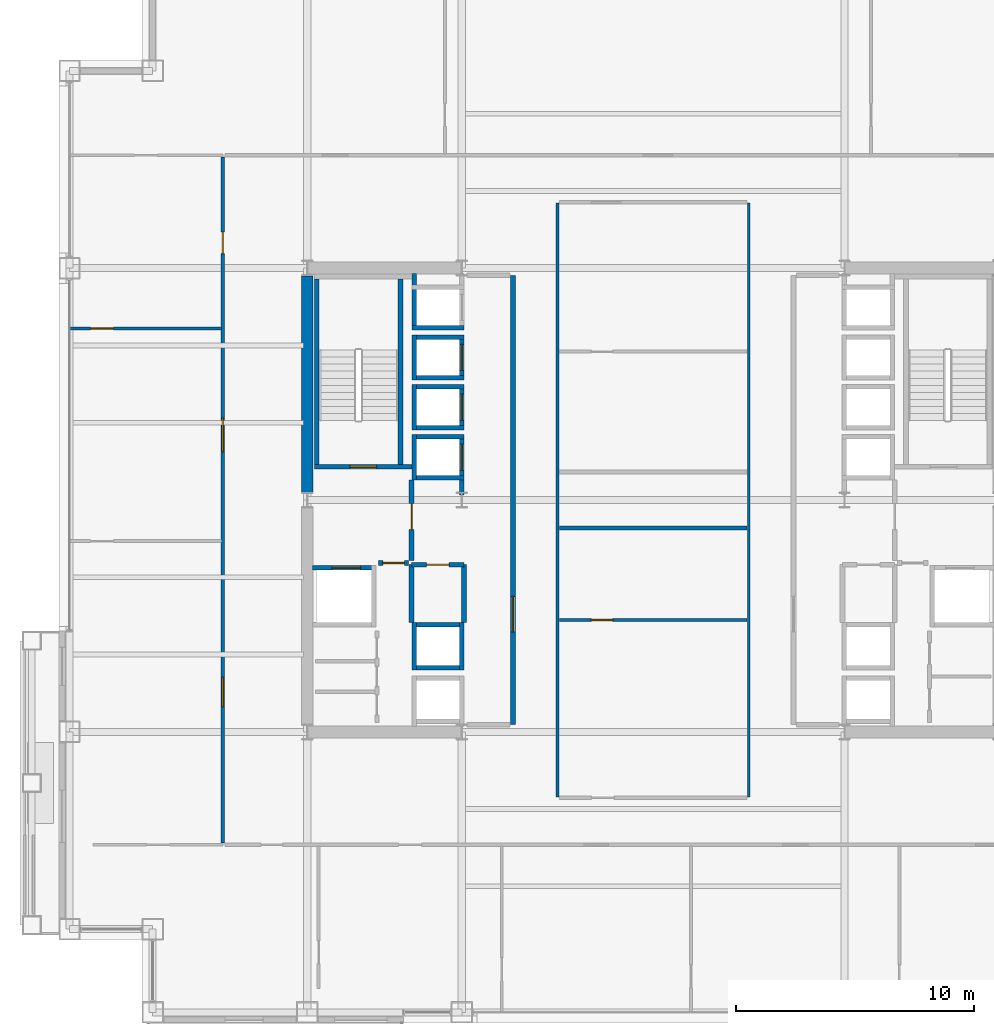
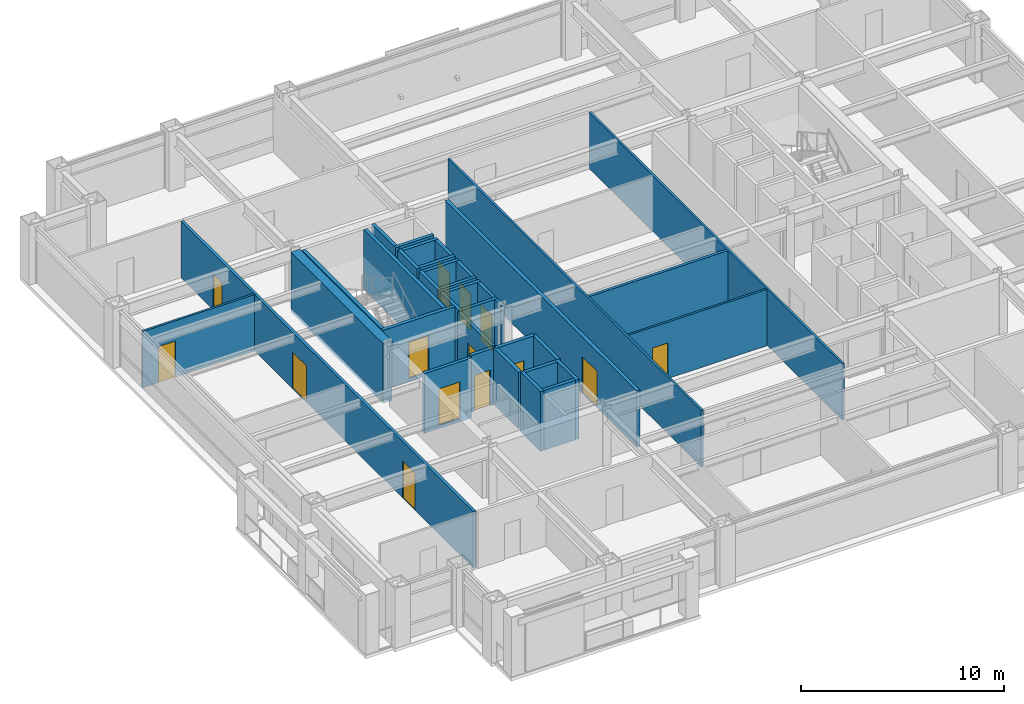
# One storey, part 25 of 30: 35 walls, 14 doors, 14 openings.
"""IFC4 building model written with IfcOpenShell, lengths in metres."""

from ifc_helpers import new_model, si_unit, direction, frame, frame_2d, origin, place, context, subcontext, project, spatial, rectangle, extrude, material, layer, layer_set, type_object, element, fill, save


model = new_model("IFC4")

# Units and contexts
model_context = context("Model", 3, precision=1e-05, world=origin(), true_north=direction((0.0, 1.0)))
body_context = subcontext(model_context, "Body", "Model", "MODEL_VIEW")
ifc_project = project(units=[si_unit("LENGTHUNIT", "METRE"), si_unit("AREAUNIT", "SQUARE_METRE"), si_unit("VOLUMEUNIT", "CUBIC_METRE"), si_unit("PLANEANGLEUNIT", "RADIAN"), si_unit("MASSUNIT", "GRAM", prefix="KILO")], contexts=[model_context])

# Site, building, storey
site_placement = place(None, origin())
site = spatial("IfcSite", under=ifc_project, at=site_placement, CompositionType="ELEMENT")
building_placement = place(site_placement, origin())
building = spatial("IfcBuilding", under=site, at=building_placement, Name="Brelmoor Portico Tower", CompositionType="ELEMENT")
storey_placement = place(building_placement, frame((0.0, 0.0, 74.39990234375)))
storey = spatial("IfcBuildingStorey", under=building, at=storey_placement, Name="L19", CompositionType="ELEMENT", Elevation=74.39990234375)

# Walls
ifc_material_1 = material(Name="Concrete C60", Category="concrete")
ifc_layer_1 = layer(ifc_material_1, 0.5)
ifc_layer_set_1 = layer_set([ifc_layer_1], Name="Concrete C60")
wall_type_1 = type_object("IfcWallType", Name="WL-CORE-500", PredefinedType="SHEAR", material=ifc_layer_set_1)
wall_1_placement = place(storey_placement, frame((-14.550048828125, 0.324951171875, -0.199951171875), z_axis=(0.0, 0.0, 1.0), x_axis=(0.0, 1.0, 0.0)))
element("IfcWall", 1, at=wall_1_placement, inside=storey, type_object=wall_type_1, Name="L19 WC Outer North Shear Wall", PredefinedType="SHEAR", context=body_context, shape_type="SweptSolid", body=[
    extrude(rectangle(XDim=9.10009765625, YDim=0.5, at=frame_2d((4.550048828125, 0.0))), origin(), (0.0, 0.0, 1.0), 3.60009765625),
])
ifc_material_2 = material(Name="Lightweight Gypsum Office Partition", Category="gypsum")
ifc_layer_2 = layer(ifc_material_2, 0.1201171875)
ifc_layer_set_2 = layer_set([ifc_layer_2], Name="Lightweight Gypsum Office Partition")
wall_type_2 = type_object("IfcWallType", Name="WL-PART-120", PredefinedType="PARTITIONING", material=ifc_layer_set_2)
for number, where, z_axis, x_axis, name in (
    (2, (-4.02001953125, -12.5, 0.0), (0.0, 0.0, 1.0), (0.0, 1.0, 0.0), "L19 Central Suite West Wall"),
    (3, (4.02001953125, -12.5, 0.0), (0.0, 0.0, 1.0), (0.0, 1.0, 0.0), "L19 Central Suite East Wall"),
):
    element("IfcWall", number, at=place(storey_placement, frame(where, z_axis=z_axis, x_axis=x_axis)), inside=storey, type_object=wall_type_2, Name=name, PredefinedType="PARTITIONING", context=body_context, shape_type="SweptSolid", body=[
        extrude(rectangle(XDim=25.0, YDim=0.1201171875, at=frame_2d((12.5, 0.0))), origin(), (0.0, 0.0, 1.0), 3.400146484375),
    ])

# Wall, opening, door
wall_2_placement = place(storey_placement, frame((-3.949951171875, -5.050048828125, 0.0), z_axis=(0.0, 0.0, 1.0), x_axis=(1.0, 0.0, 0.0)))
wall_2 = element("IfcWall", 4, at=wall_2_placement, inside=storey, type_object=wall_type_2, Name="L19 Central Print Divider", PredefinedType="PARTITIONING", context=body_context, shape_type="SweptSolid", body=[
    extrude(rectangle(XDim=7.89990234375, YDim=0.1201171875, at=frame_2d((3.949951171875, 0.0))), origin(), (0.0, 0.0, 1.0), 3.400146484375),
])
opening_1_placement = place(wall_2_placement, frame((1.35009765625, 0.0, 0.0)))
opening_1 = element("IfcOpeningElement", 5, at=opening_1_placement, cuts=wall_2, Name="Opening D-IN1", PredefinedType="OPENING", context=body_context, shape_type="SweptSolid", body=[
    extrude(rectangle(XDim=0.89990234375, YDim=2.14990234375, at=frame_2d((0.449951171875, 1.074951171875))), frame((0.0, 0.070068359375, 0.0), z_axis=(0.0, -1.0, 0.0), x_axis=(1.0, 0.0, 0.0)), (0.0, 0.0, 1.0), 0.14013671875),
])
ifc_material_3 = material(Name="Lacquered Timber Suite Door", Category="wood")
door_type_1 = type_object("IfcDoorType", Name="DR-INT-900", OperationType="NOTDEFINED", PredefinedType="DOOR", material=ifc_material_3)
door_1_placement = place(opening_1_placement, origin())
door_1 = element("IfcDoor", 6, at=door_1_placement, inside=storey, type_object=door_type_1, Name="D-0853 L19 Central Print Studio Door", OperationType="SINGLE_SWING_RIGHT", OverallHeight=2.14990234375, OverallWidth=0.89990234375, PredefinedType="DOOR", context=body_context, shape_type="SweptSolid", body=[
    extrude(rectangle(XDim=0.89990234375, YDim=2.14990234375, at=frame_2d((0.449951171875, 1.074951171875))), frame((0.0, 0.02490234375, 0.0), z_axis=(0.0, -1.0, 0.0), x_axis=(1.0, 0.0, 0.0)), (0.0, 0.0, 1.0), 0.050048828125),
])
fill(opening_1, door_1)

wall_3_placement = place(storey_placement, frame((-24.56005859375, 7.2099609375, 0.0), z_axis=(0.0, 0.0, 1.0), x_axis=(1.0, 0.0, 0.0)))
wall_3 = element("IfcWall", 7, at=wall_3_placement, inside=storey, type_object=wall_type_2, Name="L19 W Wing Partition 2", PredefinedType="PARTITIONING", context=body_context, shape_type="SweptSolid", body=[
    extrude(rectangle(XDim=6.400146484375, YDim=0.1201171875, at=frame_2d((3.2001953125, 0.0))), origin(), (0.0, 0.0, 1.0), 3.400146484375),
])
opening_2_placement = place(wall_3_placement, frame((0.89990234375, 0.0, 0.0)))
opening_2 = element("IfcOpeningElement", 8, at=opening_2_placement, cuts=wall_3, Name="Opening D-IN2", PredefinedType="OPENING", context=body_context, shape_type="SweptSolid", body=[
    extrude(rectangle(XDim=0.9599609375, YDim=2.179931640625, at=frame_2d((0.47998046875, 1.08984375))), frame((0.0, 0.070068359375, 0.0), z_axis=(0.0, -1.0, 0.0), x_axis=(1.0, 0.0, 0.0)), (0.0, 0.0, 1.0), 0.14013671875),
])
door_type_2 = type_object("IfcDoorType", Name="DR-INT-950", OperationType="NOTDEFINED", PredefinedType="DOOR", material=ifc_material_3)
door_2_placement = place(opening_2_placement, origin())
door_2 = element("IfcDoor", 9, at=door_2_placement, inside=storey, type_object=door_type_2, Name="D-0894 L19 W Wing Suite Connecting Door 2", OperationType="SINGLE_SWING_LEFT", OverallHeight=2.179931640625, OverallWidth=0.9599609375, PredefinedType="DOOR", context=body_context, shape_type="SweptSolid", body=[
    extrude(rectangle(XDim=0.9599609375, YDim=2.179931640625, at=frame_2d((0.47998046875, 1.08984375))), frame((0.0, 0.02490234375, 0.0), z_axis=(0.0, -1.0, 0.0), x_axis=(1.0, 0.0, 0.0)), (0.0, 0.0, 1.0), 0.050048828125),
])
fill(opening_2, door_2)

# Wall
ifc_material_4 = material(Name="Twin-Frame Acoustic Partition", Category="gypsum")
ifc_layer_3 = layer(ifc_material_4, 0.159912109375)
ifc_layer_set_3 = layer_set([ifc_layer_3], Name="Twin-Frame Acoustic Partition")
wall_type_3 = type_object("IfcWallType", Name="WL-PART-160", PredefinedType="PARTITIONING", material=ifc_layer_set_3)
wall_4_placement = place(storey_placement, frame((-3.949951171875, -1.179931640625, 0.0), z_axis=(0.0, 0.0, 1.0), x_axis=(1.0, 0.0, 0.0)))
element("IfcWall", 10, at=wall_4_placement, inside=storey, type_object=wall_type_3, Name="L19 Central Pantry North Wall", PredefinedType="PARTITIONING", context=body_context, shape_type="SweptSolid", body=[
    extrude(rectangle(XDim=7.89990234375, YDim=0.159912109375, at=frame_2d((3.949951171875, 0.0))), origin(), (0.0, 0.0, 1.0), 3.400146484375),
])

# Wall, openings, doors
wall_5_placement = place(storey_placement, frame((-18.10009765625, -14.419921875, 0.0), z_axis=(0.0, 0.0, 1.0), x_axis=(0.0, 1.0, 0.0)))
wall_5 = element("IfcWall", 11, at=wall_5_placement, inside=storey, type_object=wall_type_3, Name="L19 W Wing Corridor Wall", PredefinedType="PARTITIONING", context=body_context, shape_type="SweptSolid", body=[
    extrude(rectangle(XDim=28.83984375, YDim=0.159912109375, at=frame_2d((14.419921875, 0.0))), origin(), (0.0, 0.0, 1.0), 3.400146484375),
])
opening_3_placement = place(wall_5_placement, frame((5.724853515625, 0.0, 0.0)))
opening_3 = element("IfcOpeningElement", 12, at=opening_3_placement, cuts=wall_5, Name="Opening D-SU1", PredefinedType="OPENING", context=body_context, shape_type="SweptSolid", body=[
    extrude(rectangle(XDim=1.239990234375, YDim=2.239990234375, at=frame_2d((0.6201171875, 1.1201171875))), frame((0.0, 0.08984375, 0.0), z_axis=(0.0, -1.0, 0.0), x_axis=(1.0, 0.0, 0.0)), (0.0, 0.0, 1.0), 0.179931640625),
])
opening_4_placement = place(wall_5_placement, frame((16.459716796875, 0.0, 0.0)))
opening_4 = element("IfcOpeningElement", 13, at=opening_4_placement, cuts=wall_5, Name="Opening D-SU2", PredefinedType="OPENING", context=body_context, shape_type="SweptSolid", body=[
    extrude(rectangle(XDim=1.39990234375, YDim=2.199951171875, at=frame_2d((0.699951171875, 1.10009765625))), frame((0.0, 0.08984375, 0.0), z_axis=(0.0, -1.0, 0.0), x_axis=(1.0, 0.0, 0.0)), (0.0, 0.0, 1.0), 0.179931640625),
])
opening_5_placement = place(wall_5_placement, frame((24.784912109375, 0.0, 0.0)))
opening_5 = element("IfcOpeningElement", 14, at=opening_5_placement, cuts=wall_5, Name="Opening D-IN1", PredefinedType="OPENING", context=body_context, shape_type="SweptSolid", body=[
    extrude(rectangle(XDim=0.89990234375, YDim=2.14990234375, at=frame_2d((0.449951171875, 1.074951171875))), frame((0.0, 0.08984375, 0.0), z_axis=(0.0, -1.0, 0.0), x_axis=(1.0, 0.0, 0.0)), (0.0, 0.0, 1.0), 0.179931640625),
])
door_3_placement = place(opening_5_placement, origin())
door_3 = element("IfcDoor", 15, at=door_3_placement, inside=storey, type_object=door_type_1, Name="D-0892 L19 W Client Reception Room 3 Door", OperationType="SINGLE_SWING_LEFT", OverallHeight=2.14990234375, OverallWidth=0.89990234375, PredefinedType="DOOR", context=body_context, shape_type="SweptSolid", body=[
    extrude(rectangle(XDim=0.89990234375, YDim=2.14990234375, at=frame_2d((0.449951171875, 1.074951171875))), frame((0.0, 0.02490234375, 0.0), z_axis=(0.0, -1.0, 0.0), x_axis=(1.0, 0.0, 0.0)), (0.0, 0.0, 1.0), 0.050048828125),
])
fill(opening_5, door_3)
ifc_material_5 = material(Name="Glazed Timber Executive Suite Door", Category="wood")
door_type_3 = type_object("IfcDoorType", Name="DR-SUITE-1200", OperationType="NOTDEFINED", PredefinedType="DOOR", material=ifc_material_5)
door_4_placement = place(opening_3_placement, origin())
door_4 = element("IfcDoor", 16, at=door_4_placement, inside=storey, type_object=door_type_3, Name="D-0890 L19 W Staff Wellness Studio 1 Door", OperationType="SINGLE_SWING_RIGHT", OverallHeight=2.239990234375, OverallWidth=1.239990234375, PredefinedType="DOOR", context=body_context, shape_type="SweptSolid", body=[
    extrude(rectangle(XDim=1.239990234375, YDim=2.239990234375, at=frame_2d((0.6201171875, 1.1201171875))), frame((0.0, 0.02490234375, 0.0), z_axis=(0.0, -1.0, 0.0), x_axis=(1.0, 0.0, 0.0)), (0.0, 0.0, 1.0), 0.050048828125),
])
fill(opening_3, door_4)
ifc_material_6 = material(Name="Double-Leaf Acoustic Suite Door", Category="timber")
door_type_4 = type_object("IfcDoorType", Name="DR-SUITE-1400", OperationType="NOTDEFINED", PredefinedType="DOOR", material=ifc_material_6)
door_5_placement = place(opening_4_placement, origin())
door_5 = element("IfcDoor", 17, at=door_5_placement, inside=storey, type_object=door_type_4, Name="D-0891 L19 W Technical Archive Store 2 Door", OperationType="DOUBLE_DOOR_SINGLE_SWING", OverallHeight=2.199951171875, OverallWidth=1.39990234375, PredefinedType="DOOR", context=body_context, shape_type="SweptSolid", body=[
    extrude(rectangle(XDim=1.39990234375, YDim=2.199951171875, at=frame_2d((0.699951171875, 1.10009765625))), frame((0.0, 0.02490234375, 0.0), z_axis=(0.0, -1.0, 0.0), x_axis=(1.0, 0.0, 0.0)), (0.0, 0.0, 1.0), 0.050048828125),
])
fill(opening_4, door_5)

# Wall, opening, door
ifc_material_7 = material(Name="Double-Stud Gypsum Fire Partition", Category="gypsum")
ifc_layer_4 = layer(ifc_material_7, 0.199951171875)
ifc_layer_set_4 = layer_set([ifc_layer_4], Name="Double-Stud Gypsum Fire Partition")
wall_type_4 = type_object("IfcWallType", Name="WL-PART-200", PredefinedType="PARTITIONING", material=ifc_layer_set_4)
wall_6_placement = place(storey_placement, frame((-5.89990234375, -9.449951171875, 0.0), z_axis=(0.0, 0.0, 1.0), x_axis=(0.0, 1.0, 0.0)))
wall_6 = element("IfcWall", 18, at=wall_6_placement, inside=storey, type_object=wall_type_4, Name="L19 W Core Lobby Compartment Wall", PredefinedType="PARTITIONING", context=body_context, shape_type="SweptSolid", body=[
    extrude(rectangle(XDim=18.89990234375, YDim=0.199951171875, at=frame_2d((9.449951171875, 0.0))), origin(), (0.0, 0.0, 1.0), 3.400146484375),
])
opening_6_placement = place(wall_6_placement, frame((3.89990234375, 0.0, 0.0)))
opening_6 = element("IfcOpeningElement", 19, at=opening_6_placement, cuts=wall_6, Name="Opening D-LB1", PredefinedType="OPENING", context=body_context, shape_type="SweptSolid", body=[
    extrude(rectangle(XDim=1.5, YDim=2.199951171875, at=frame_2d((0.75, 1.10009765625))), frame((0.0, 0.10986328125, 0.0), z_axis=(0.0, -1.0, 0.0), x_axis=(1.0, 0.0, 0.0)), (0.0, 0.0, 1.0), 0.219970703125),
])
ifc_material_8 = material(Name="Double-Leaf Glazed Steel Fire Door", Category="steel")
door_type_5 = type_object("IfcDoorType", Name="DR-LOBBY-1500", OperationType="NOTDEFINED", PredefinedType="DOOR", material=ifc_material_8)
door_6_placement = place(opening_6_placement, origin())
door_6 = element("IfcDoor", 20, at=door_6_placement, inside=storey, type_object=door_type_5, Name="D-0866 L19 W Lift Lobby Main Door", OperationType="DOUBLE_DOOR_SINGLE_SWING", OverallHeight=2.199951171875, OverallWidth=1.5, PredefinedType="DOOR", context=body_context, shape_type="SweptSolid", body=[
    extrude(rectangle(XDim=1.5, YDim=2.199951171875, at=frame_2d((0.75, 1.10009765625))), frame((0.0, 0.02490234375, 0.0), z_axis=(0.0, -1.0, 0.0), x_axis=(1.0, 0.0, 0.0)), (0.0, 0.0, 1.0), 0.050048828125),
])
fill(opening_6, door_6)

wall_7_placement = place(storey_placement, frame((-10.159912109375, -2.550048828125, 0.0), z_axis=(0.0, 0.0, 1.0), x_axis=(0.0, 1.0, 0.0)))
wall_7 = element("IfcWall", 21, at=wall_7_placement, inside=storey, type_object=wall_type_4, Name="L19 W Firefighting Lobby Wall", PredefinedType="PARTITIONING", context=body_context, shape_type="SweptSolid", body=[
    extrude(rectangle(XDim=3.400146484375, YDim=0.199951171875, at=frame_2d((1.7001953125, 0.0))), origin(), (0.0, 0.0, 1.0), 3.400146484375),
])
opening_7_placement = place(wall_7_placement, frame((1.300048828125, 0.0, 0.0)))
opening_7 = element("IfcOpeningElement", 22, at=opening_7_placement, cuts=wall_7, Name="Opening D-FR1", PredefinedType="OPENING", context=body_context, shape_type="SweptSolid", body=[
    extrude(rectangle(XDim=1.10009765625, YDim=2.14990234375, at=frame_2d((0.550048828125, 1.074951171875))), frame((0.0, 0.10986328125, 0.0), z_axis=(0.0, -1.0, 0.0), x_axis=(1.0, 0.0, 0.0)), (0.0, 0.0, 1.0), 0.219970703125),
])
ifc_material_9 = material(Name="Painted Galvanised Steel Fire Door", Category="steel")
door_type_6 = type_object("IfcDoorType", Name="DR-FIRE-1100", OperationType="NOTDEFINED", PredefinedType="DOOR", material=ifc_material_9)
door_7_placement = place(opening_7_placement, origin())
door_7 = element("IfcDoor", 23, at=door_7_placement, inside=storey, type_object=door_type_6, Name="D-0864 L19 W Firefighting Lobby Door", OperationType="SINGLE_SWING_RIGHT", OverallHeight=2.14990234375, OverallWidth=1.10009765625, PredefinedType="DOOR", context=body_context, shape_type="SweptSolid", body=[
    extrude(rectangle(XDim=1.10009765625, YDim=2.14990234375, at=frame_2d((0.550048828125, 1.074951171875))), frame((0.0, 0.02490234375, 0.0), z_axis=(0.0, -1.0, 0.0), x_axis=(1.0, 0.0, 0.0)), (0.0, 0.0, 1.0), 0.050048828125),
])
fill(opening_7, door_7)

wall_8_placement = place(storey_placement, frame((-10.280029296875, -2.64990234375, 0.0), z_axis=(0.0, 0.0, 1.0), x_axis=(-1.0, 0.0, 0.0)))
wall_8 = element("IfcWall", 24, at=wall_8_placement, inside=storey, type_object=wall_type_4, Name="L19 W Firefighting Lobby South Wall", PredefinedType="PARTITIONING", context=body_context, shape_type="SweptSolid", body=[
    extrude(rectangle(XDim=1.27001953125, YDim=0.199951171875, at=frame_2d((0.635009765625, 0.0))), origin(), (0.0, 0.0, 1.0), 3.400146484375),
])
opening_8_placement = place(wall_8_placement, frame((0.18505859375, 0.0, 0.0)))
opening_8 = element("IfcOpeningElement", 25, at=opening_8_placement, cuts=wall_8, Name="Opening D-IN1", PredefinedType="OPENING", context=body_context, shape_type="SweptSolid", body=[
    extrude(rectangle(XDim=0.89990234375, YDim=2.14990234375, at=frame_2d((0.449951171875, 1.074951171875))), frame((0.0, 0.10986328125, 0.0), z_axis=(0.0, -1.0, 0.0), x_axis=(1.0, 0.0, 0.0)), (0.0, 0.0, 1.0), 0.219970703125),
])
door_8_placement = place(opening_8_placement, origin())
door_8 = element("IfcDoor", 26, at=door_8_placement, inside=storey, type_object=door_type_1, Name="D-0857 L19 W Core Service Vestibule Door", OperationType="SINGLE_SWING_LEFT", OverallHeight=2.14990234375, OverallWidth=0.89990234375, PredefinedType="DOOR", context=body_context, shape_type="SweptSolid", body=[
    extrude(rectangle(XDim=0.89990234375, YDim=2.14990234375, at=frame_2d((0.449951171875, 1.074951171875))), frame((0.0, 0.02490234375, 0.0), z_axis=(0.0, -1.0, 0.0), x_axis=(1.0, 0.0, 0.0)), (0.0, 0.0, 1.0), 0.050048828125),
])
fill(opening_8, door_8)

wall_9_placement = place(storey_placement, frame((-7.9599609375, -2.719970703125, 0.0), z_axis=(0.0, 0.0, 1.0), x_axis=(-1.0, 0.0, 0.0)))
wall_9 = element("IfcWall", 27, at=wall_9_placement, inside=storey, type_object=wall_type_4, Name="L19 W Electrical Switchgear Closet Wall", PredefinedType="PARTITIONING", context=body_context, shape_type="SweptSolid", body=[
    extrude(rectangle(XDim=2.199951171875, YDim=0.199951171875, at=frame_2d((1.10009765625, 0.0))), origin(), (0.0, 0.0, 1.0), 3.400146484375),
])
opening_9_placement = place(wall_9_placement, frame((0.6201171875, 0.0, 0.0)))
opening_9 = element("IfcOpeningElement", 28, at=opening_9_placement, cuts=wall_9, Name="Opening D-FR4", PredefinedType="OPENING", context=body_context, shape_type="SweptSolid", body=[
    extrude(rectangle(XDim=0.949951171875, YDim=2.10009765625, at=frame_2d((0.47509765625, 1.050048828125))), frame((0.0, 0.10986328125, 0.0), z_axis=(0.0, -1.0, 0.0), x_axis=(1.0, 0.0, 0.0)), (0.0, 0.0, 1.0), 0.219970703125),
])
ifc_material_10 = material(Name="Painted Galvanised Steel Riser Door", Category="steel")
door_type_7 = type_object("IfcDoorType", Name="DR-FIRE-950", OperationType="NOTDEFINED", PredefinedType="DOOR", material=ifc_material_10)
door_9_placement = place(opening_9_placement, origin())
door_9 = element("IfcDoor", 29, at=door_9_placement, inside=storey, type_object=door_type_7, Name="D-0862 L19 W Electrical Switchgear Closet Door", OperationType="SINGLE_SWING_RIGHT", OverallHeight=2.10009765625, OverallWidth=0.949951171875, PredefinedType="DOOR", context=body_context, shape_type="SweptSolid", body=[
    extrude(rectangle(XDim=0.949951171875, YDim=2.10009765625, at=frame_2d((0.47509765625, 1.050048828125))), frame((0.0, 0.02490234375, 0.0), z_axis=(0.0, -1.0, 0.0), x_axis=(1.0, 0.0, 0.0)), (0.0, 0.0, 1.0), 0.050048828125),
])
fill(opening_9, door_9)

# Walls
for number, where, z_axis, x_axis, name in (
    (30, (-7.9599609375, -5.159912109375, 0.0), (0.0, 0.0, 1.0), (0.0, 1.0, 0.0), "L19 W Electrical Switchgear Closet Inner Wall"),
    (31, (-10.159912109375, -5.159912109375, 0.0), (0.0, 0.0, 1.0), (0.0, 1.0, 0.0), "L19 W Electrical Switchgear Closet Outer Wall"),
):
    element("IfcWall", number, at=place(storey_placement, frame(where, z_axis=z_axis, x_axis=x_axis)), inside=storey, type_object=wall_type_4, Name=name, PredefinedType="PARTITIONING", context=body_context, shape_type="SweptSolid", body=[
        extrude(rectangle(XDim=2.43994140625, YDim=0.199951171875, at=frame_2d((1.219970703125, 0.0))), origin(), (0.0, 0.0, 1.0), 3.400146484375),
    ])

# Wall, opening, door
ifc_material_11 = material(Name="Precast Concrete C40", Category="concrete")
ifc_layer_5 = layer(ifc_material_11, 0.18994140625)
ifc_layer_set_5 = layer_set([ifc_layer_5], Name="Precast Concrete C40")
wall_type_5 = type_object("IfcWallType", Name="WL-SHAFT-180", PredefinedType="SOLIDWALL", material=ifc_layer_set_5)
wall_10_placement = place(storey_placement, frame((-8.044921875, 0.2099609375, -0.199951171875), z_axis=(0.0, 0.0, 1.0), x_axis=(0.0, 1.0, 0.0)))
wall_10 = element("IfcWall", 32, at=wall_10_placement, inside=storey, type_object=wall_type_5, Name="L19 Lift PL1 Hoistway Front Wall", PredefinedType="SOLIDWALL", context=body_context, shape_type="SweptSolid", body=[
    extrude(rectangle(XDim=2.5400390625, YDim=0.18994140625, at=frame_2d((1.27001953125, 0.0))), origin(), (0.0, 0.0, 1.0), 3.60009765625),
])
opening_10_placement = place(wall_10_placement, frame((1.0400390625, 0.0, 0.199951171875)))
opening_10 = element("IfcOpeningElement", 33, at=opening_10_placement, cuts=wall_10, Name="Opening LD-01", PredefinedType="OPENING", context=body_context, shape_type="SweptSolid", body=[
    extrude(rectangle(XDim=1.10009765625, YDim=2.199951171875, at=frame_2d((0.550048828125, 1.10009765625))), frame((0.0, 0.10498046875, 0.0), z_axis=(0.0, -1.0, 0.0), x_axis=(1.0, 0.0, 0.0)), (0.0, 0.0, 1.0), 0.2099609375),
])
ifc_material_12 = material(Name="Brushed Stainless Steel Sliding Lift Door", Category="steel")
door_type_8 = type_object("IfcDoorType", Name="DR-LIFT-1100", OperationType="NOTDEFINED", PredefinedType="DOOR", material=ifc_material_12)
door_10_placement = place(opening_10_placement, origin())
door_10 = element("IfcDoor", 34, at=door_10_placement, inside=storey, type_object=door_type_8, Name="D-0897 L19 Lift PL1 Sliding Landing Door", OperationType="SLIDING_TO_LEFT", OverallHeight=2.199951171875, OverallWidth=1.10009765625, PredefinedType="DOOR", context=body_context, shape_type="SweptSolid", body=[
    extrude(rectangle(XDim=1.10009765625, YDim=2.199951171875, at=frame_2d((0.550048828125, 1.10009765625))), frame((0.0, 0.02490234375, 0.0), z_axis=(0.0, -1.0, 0.0), x_axis=(1.0, 0.0, 0.0)), (0.0, 0.0, 1.0), 0.050048828125),
])
fill(opening_10, door_10)

# Walls
wall_11_placement = place(storey_placement, frame((-10.054931640625, 0.85009765625, -0.199951171875), z_axis=(0.0, 0.0, 1.0), x_axis=(0.0, 1.0, 0.0)))
element("IfcWall", 35, at=wall_11_placement, inside=storey, type_object=wall_type_5, Name="L19 Lift PL1 Hoistway Back Wall", PredefinedType="SOLIDWALL", context=body_context, shape_type="SweptSolid", body=[
    extrude(rectangle(XDim=1.89990234375, YDim=0.18994140625, at=frame_2d((0.949951171875, 0.0))), origin(), (0.0, 0.0, 1.0), 3.60009765625),
])
for number, where, z_axis, x_axis, name in (
    (36, (-10.14990234375, 2.655029296875, -0.199951171875), (0.0, 0.0, 1.0), (1.0, 0.0, 0.0), "L19 Lift PL1 Hoistway North Wall"),
    (37, (-10.14990234375, 0.945068359375, -0.199951171875), (0.0, 0.0, 1.0), (1.0, 0.0, 0.0), "L19 Lift PL1 Hoistway South Wall"),
):
    element("IfcWall", number, at=place(storey_placement, frame(where, z_axis=z_axis, x_axis=x_axis)), inside=storey, type_object=wall_type_5, Name=name, PredefinedType="SOLIDWALL", context=body_context, shape_type="SweptSolid", body=[
        extrude(rectangle(XDim=2.199951171875, YDim=0.18994140625, at=frame_2d((1.10009765625, 0.0))), origin(), (0.0, 0.0, 1.0), 3.60009765625),
    ])

# Wall, opening, door
wall_12_placement = place(storey_placement, frame((-8.044921875, 2.949951171875, -0.199951171875), z_axis=(0.0, 0.0, 1.0), x_axis=(0.0, 1.0, 0.0)))
wall_12 = element("IfcWall", 38, at=wall_12_placement, inside=storey, type_object=wall_type_5, Name="L19 Lift PL2 Hoistway Front Wall", PredefinedType="SOLIDWALL", context=body_context, shape_type="SweptSolid", body=[
    extrude(rectangle(XDim=1.900146484375, YDim=0.18994140625, at=frame_2d((0.9501953125, 0.0))), origin(), (0.0, 0.0, 1.0), 3.60009765625),
])
opening_11_placement = place(wall_12_placement, frame((0.39990234375, 0.0, 0.199951171875)))
opening_11 = element("IfcOpeningElement", 39, at=opening_11_placement, cuts=wall_12, Name="Opening LD-01", PredefinedType="OPENING", context=body_context, shape_type="SweptSolid", body=[
    extrude(rectangle(XDim=1.10009765625, YDim=2.199951171875, at=frame_2d((0.550048828125, 1.10009765625))), frame((0.0, 0.10498046875, 0.0), z_axis=(0.0, -1.0, 0.0), x_axis=(1.0, 0.0, 0.0)), (0.0, 0.0, 1.0), 0.2099609375),
])
door_11_placement = place(opening_11_placement, origin())
door_11 = element("IfcDoor", 40, at=door_11_placement, inside=storey, type_object=door_type_8, Name="D-0898 L19 Lift PL2 Sliding Landing Door", OperationType="SLIDING_TO_LEFT", OverallHeight=2.199951171875, OverallWidth=1.10009765625, PredefinedType="DOOR", context=body_context, shape_type="SweptSolid", body=[
    extrude(rectangle(XDim=1.10009765625, YDim=2.199951171875, at=frame_2d((0.550048828125, 1.10009765625))), frame((0.0, 0.02490234375, 0.0), z_axis=(0.0, -1.0, 0.0), x_axis=(1.0, 0.0, 0.0)), (0.0, 0.0, 1.0), 0.050048828125),
])
fill(opening_11, door_11)

# Walls
wall_13_placement = place(storey_placement, frame((-10.054931640625, 2.949951171875, -0.199951171875), z_axis=(0.0, 0.0, 1.0), x_axis=(0.0, 1.0, 0.0)))
element("IfcWall", 41, at=wall_13_placement, inside=storey, type_object=wall_type_5, Name="L19 Lift PL2 Hoistway Back Wall", PredefinedType="SOLIDWALL", context=body_context, shape_type="SweptSolid", body=[
    extrude(rectangle(XDim=1.900146484375, YDim=0.18994140625, at=frame_2d((0.9501953125, 0.0))), origin(), (0.0, 0.0, 1.0), 3.60009765625),
])
for number, where, z_axis, x_axis, name in (
    (42, (-10.14990234375, 4.7548828125, -0.199951171875), (0.0, 0.0, 1.0), (1.0, 0.0, 0.0), "L19 Lift PL2 Hoistway North Wall"),
    (43, (-10.14990234375, 3.044921875, -0.199951171875), (0.0, 0.0, 1.0), (1.0, 0.0, 0.0), "L19 Lift PL2 Hoistway South Wall"),
):
    element("IfcWall", number, at=place(storey_placement, frame(where, z_axis=z_axis, x_axis=x_axis)), inside=storey, type_object=wall_type_5, Name=name, PredefinedType="SOLIDWALL", context=body_context, shape_type="SweptSolid", body=[
        extrude(rectangle(XDim=2.199951171875, YDim=0.18994140625, at=frame_2d((1.10009765625, 0.0))), origin(), (0.0, 0.0, 1.0), 3.60009765625),
    ])

# Wall, opening, door
wall_14_placement = place(storey_placement, frame((-8.044921875, 5.050048828125, -0.199951171875), z_axis=(0.0, 0.0, 1.0), x_axis=(0.0, 1.0, 0.0)))
wall_14 = element("IfcWall", 44, at=wall_14_placement, inside=storey, type_object=wall_type_5, Name="L19 Lift PL3 Hoistway Front Wall", PredefinedType="SOLIDWALL", context=body_context, shape_type="SweptSolid", body=[
    extrude(rectangle(XDim=1.89990234375, YDim=0.18994140625, at=frame_2d((0.949951171875, 0.0))), origin(), (0.0, 0.0, 1.0), 3.60009765625),
])
opening_12_placement = place(wall_14_placement, frame((0.39990234375, 0.0, 0.199951171875)))
opening_12 = element("IfcOpeningElement", 45, at=opening_12_placement, cuts=wall_14, Name="Opening LD-01", PredefinedType="OPENING", context=body_context, shape_type="SweptSolid", body=[
    extrude(rectangle(XDim=1.10009765625, YDim=2.199951171875, at=frame_2d((0.550048828125, 1.10009765625))), frame((0.0, 0.10498046875, 0.0), z_axis=(0.0, -1.0, 0.0), x_axis=(1.0, 0.0, 0.0)), (0.0, 0.0, 1.0), 0.2099609375),
])
door_12_placement = place(opening_12_placement, origin())
door_12 = element("IfcDoor", 46, at=door_12_placement, inside=storey, type_object=door_type_8, Name="D-0899 L19 Lift PL3 Sliding Landing Door", OperationType="SLIDING_TO_LEFT", OverallHeight=2.199951171875, OverallWidth=1.10009765625, PredefinedType="DOOR", context=body_context, shape_type="SweptSolid", body=[
    extrude(rectangle(XDim=1.10009765625, YDim=2.199951171875, at=frame_2d((0.550048828125, 1.10009765625))), frame((0.0, 0.02490234375, 0.0), z_axis=(0.0, -1.0, 0.0), x_axis=(1.0, 0.0, 0.0)), (0.0, 0.0, 1.0), 0.050048828125),
])
fill(opening_12, door_12)

# Walls
wall_15_placement = place(storey_placement, frame((-10.054931640625, 5.050048828125, -0.199951171875), z_axis=(0.0, 0.0, 1.0), x_axis=(0.0, 1.0, 0.0)))
element("IfcWall", 47, at=wall_15_placement, inside=storey, type_object=wall_type_5, Name="L19 Lift PL3 Hoistway Back Wall", PredefinedType="SOLIDWALL", context=body_context, shape_type="SweptSolid", body=[
    extrude(rectangle(XDim=1.89990234375, YDim=0.18994140625, at=frame_2d((0.949951171875, 0.0))), origin(), (0.0, 0.0, 1.0), 3.60009765625),
])
for number, where, z_axis, x_axis, name in (
    (48, (-10.14990234375, 6.85498046875, -0.199951171875), (0.0, 0.0, 1.0), (1.0, 0.0, 0.0), "L19 Lift PL3 Hoistway North Wall"),
    (49, (-10.14990234375, 5.14501953125, -0.199951171875), (0.0, 0.0, 1.0), (1.0, 0.0, 0.0), "L19 Lift PL3 Hoistway South Wall"),
):
    element("IfcWall", number, at=place(storey_placement, frame(where, z_axis=z_axis, x_axis=x_axis)), inside=storey, type_object=wall_type_5, Name=name, PredefinedType="SOLIDWALL", context=body_context, shape_type="SweptSolid", body=[
        extrude(rectangle(XDim=2.199951171875, YDim=0.18994140625, at=frame_2d((1.10009765625, 0.0))), origin(), (0.0, 0.0, 1.0), 3.60009765625),
    ])
wall_16_placement = place(storey_placement, frame((-10.054931640625, 7.14990234375, -0.199951171875), z_axis=(0.0, 0.0, 1.0), x_axis=(0.0, 1.0, 0.0)))
element("IfcWall", 50, at=wall_16_placement, inside=storey, type_object=wall_type_5, Name="L19 Lift PL4 Hoistway Back Wall", PredefinedType="SOLIDWALL", context=body_context, shape_type="SweptSolid", body=[
    extrude(rectangle(XDim=2.3701171875, YDim=0.18994140625, at=frame_2d((1.18505859375, 0.0))), origin(), (0.0, 0.0, 1.0), 3.60009765625),
])
wall_17_placement = place(storey_placement, frame((-10.14990234375, 7.2451171875, -0.199951171875), z_axis=(0.0, 0.0, 1.0), x_axis=(1.0, 0.0, 0.0)))
element("IfcWall", 51, at=wall_17_placement, inside=storey, type_object=wall_type_5, Name="L19 Lift PL4 Hoistway South Wall", PredefinedType="SOLIDWALL", context=body_context, shape_type="SweptSolid", body=[
    extrude(rectangle(XDim=2.199951171875, YDim=0.18994140625, at=frame_2d((1.10009765625, 0.0))), origin(), (0.0, 0.0, 1.0), 3.60009765625),
])
for number, where, z_axis, x_axis, name in (
    (52, (-8.044921875, -7.14990234375, -0.199951171875), (0.0, 0.0, 1.0), (0.0, 1.0, 0.0), "L19 Lift PH2 Hoistway Front Wall"),
    (53, (-10.054931640625, -7.14990234375, -0.199951171875), (0.0, 0.0, 1.0), (0.0, 1.0, 0.0), "L19 Lift PH2 Hoistway Back Wall"),
):
    element("IfcWall", number, at=place(storey_placement, frame(where, z_axis=z_axis, x_axis=x_axis)), inside=storey, type_object=wall_type_5, Name=name, PredefinedType="SOLIDWALL", context=body_context, shape_type="SweptSolid", body=[
        extrude(rectangle(XDim=2.0, YDim=0.18994140625, at=frame_2d((1.0, 0.0))), origin(), (0.0, 0.0, 1.0), 3.60009765625),
    ])
for number, where, z_axis, x_axis, name in (
    (54, (-10.14990234375, -5.2451171875, -0.199951171875), (0.0, 0.0, 1.0), (1.0, 0.0, 0.0), "L19 Lift PH2 Hoistway North Wall"),
    (55, (-10.14990234375, -7.054931640625, -0.199951171875), (0.0, 0.0, 1.0), (1.0, 0.0, 0.0), "L19 Lift PH2 Hoistway South Wall"),
):
    element("IfcWall", number, at=place(storey_placement, frame(where, z_axis=z_axis, x_axis=x_axis)), inside=storey, type_object=wall_type_5, Name=name, PredefinedType="SOLIDWALL", context=body_context, shape_type="SweptSolid", body=[
        extrude(rectangle(XDim=2.199951171875, YDim=0.18994140625, at=frame_2d((1.10009765625, 0.0))), origin(), (0.0, 0.0, 1.0), 3.60009765625),
    ])

# Wall, opening, door
wall_18_placement = place(storey_placement, frame((-14.330078125, -2.844970703125, -0.199951171875), z_axis=(0.0, 0.0, 1.0), x_axis=(1.0, 0.0, 0.0)))
wall_18 = element("IfcWall", 56, at=wall_18_placement, inside=storey, type_object=wall_type_5, Name="L19 Lift FF1 Hoistway Front Wall", PredefinedType="SOLIDWALL", context=body_context, shape_type="SweptSolid", body=[
    extrude(rectangle(XDim=2.68017578125, YDim=0.18994140625, at=frame_2d((1.340087890625, 0.0))), origin(), (0.0, 0.0, 1.0), 3.60009765625),
])
opening_13_placement = place(wall_18_placement, frame((0.830078125, 0.0, 0.199951171875)))
opening_13 = element("IfcOpeningElement", 57, at=opening_13_placement, cuts=wall_18, Name="Opening LD-02", PredefinedType="OPENING", context=body_context, shape_type="SweptSolid", body=[
    extrude(rectangle(XDim=1.199951171875, YDim=2.199951171875, at=frame_2d((0.60009765625, 1.10009765625))), frame((0.0, 0.10498046875, 0.0), z_axis=(0.0, -1.0, 0.0), x_axis=(1.0, 0.0, 0.0)), (0.0, 0.0, 1.0), 0.2099609375),
])
ifc_material_13 = material(Name="Brushed Stainless Steel Firefighting Lift Door", Category="steel")
door_type_9 = type_object("IfcDoorType", Name="DR-LIFT-1200", OperationType="NOTDEFINED", PredefinedType="DOOR", material=ifc_material_13)
door_13_placement = place(opening_13_placement, origin())
door_13 = element("IfcDoor", 58, at=door_13_placement, inside=storey, type_object=door_type_9, Name="D-0895 L19 Lift FF1 Sliding Landing Door", OperationType="SLIDING_TO_LEFT", OverallHeight=2.199951171875, OverallWidth=1.199951171875, PredefinedType="DOOR", context=body_context, shape_type="SweptSolid", body=[
    extrude(rectangle(XDim=1.199951171875, YDim=2.199951171875, at=frame_2d((0.60009765625, 1.10009765625))), frame((0.0, 0.02490234375, 0.0), z_axis=(0.0, -1.0, 0.0), x_axis=(1.0, 0.0, 0.0)), (0.0, 0.0, 1.0), 0.050048828125),
])
fill(opening_13, door_13)

# Wall
ifc_material_14 = material(Name="Concrete C40", Category="concrete")
ifc_layer_6 = layer(ifc_material_14, 0.199951171875)
ifc_layer_set_6 = layer_set([ifc_layer_6], Name="Concrete C40")
wall_type_6 = type_object("IfcWallType", Name="WL-SHAFT-RC200", PredefinedType="SOLIDWALL", material=ifc_layer_set_6)
wall_19_placement = place(storey_placement, frame((-14.14990234375, 1.5, -0.199951171875), z_axis=(0.0, 0.0, 1.0), x_axis=(0.0, 1.0, 0.0)))
element("IfcWall", 59, at=wall_19_placement, inside=storey, type_object=wall_type_6, Name="L19 ST-W Structural Stair Wall Outer", PredefinedType="SOLIDWALL", context=body_context, shape_type="SweptSolid", body=[
    extrude(rectangle(XDim=7.800048828125, YDim=0.199951171875, at=frame_2d((3.89990234375, 0.0))), origin(), (0.0, 0.0, 1.0), 3.60009765625),
])

# Wall, opening, door
wall_20_placement = place(storey_placement, frame((-14.25, 1.39990234375, -0.199951171875), z_axis=(0.0, 0.0, 1.0), x_axis=(1.0, 0.0, 0.0)))
wall_20 = element("IfcWall", 60, at=wall_20_placement, inside=storey, type_object=wall_type_6, Name="L19 ST-W Structural Stair Wall S", PredefinedType="SOLIDWALL", context=body_context, shape_type="SweptSolid", body=[
    extrude(rectangle(XDim=4.10009765625, YDim=0.199951171875, at=frame_2d((2.050048828125, 0.0))), origin(), (0.0, 0.0, 1.0), 3.60009765625),
])
opening_14_placement = place(wall_20_placement, frame((1.5, 0.0, 0.199951171875)))
opening_14 = element("IfcOpeningElement", 61, at=opening_14_placement, cuts=wall_20, Name="Opening D-ST1", PredefinedType="OPENING", context=body_context, shape_type="SweptSolid", body=[
    extrude(rectangle(XDim=1.1201171875, YDim=2.179931640625, at=frame_2d((0.56005859375, 1.08984375))), frame((0.0, 0.10986328125, 0.0), z_axis=(0.0, -1.0, 0.0), x_axis=(1.0, 0.0, 0.0)), (0.0, 0.0, 1.0), 0.219970703125),
])
door_type_10 = type_object("IfcDoorType", Name="DR-STAIR-1100", OperationType="NOTDEFINED", PredefinedType="DOOR", material=ifc_material_9)
door_14_placement = place(opening_14_placement, origin())
door_14 = element("IfcDoor", 62, at=door_14_placement, inside=storey, type_object=door_type_10, Name="D-0884 L19 ST-W Protected Exit Stair Door", OperationType="SINGLE_SWING_LEFT", OverallHeight=2.179931640625, OverallWidth=1.1201171875, PredefinedType="DOOR", context=body_context, shape_type="SweptSolid", body=[
    extrude(rectangle(XDim=1.1201171875, YDim=2.179931640625, at=frame_2d((0.56005859375, 1.08984375))), frame((0.0, 0.02490234375, 0.0), z_axis=(0.0, -1.0, 0.0), x_axis=(1.0, 0.0, 0.0)), (0.0, 0.0, 1.0), 0.050048828125),
])
fill(opening_14, door_14)

# Wall
wall_21_placement = place(storey_placement, frame((-10.6298828125, 1.5, -0.199951171875), z_axis=(0.0, 0.0, 1.0), x_axis=(0.0, 1.0, 0.0)))
element("IfcWall", 63, at=wall_21_placement, inside=storey, type_object=wall_type_6, Name="L19 ST-W Structural Stair Wall Inner", PredefinedType="SOLIDWALL", context=body_context, shape_type="SweptSolid", body=[
    extrude(rectangle(XDim=7.800048828125, YDim=0.199951171875, at=frame_2d((3.89990234375, 0.0))), origin(), (0.0, 0.0, 1.0), 3.60009765625),
])

save(model, "model.ifc")
